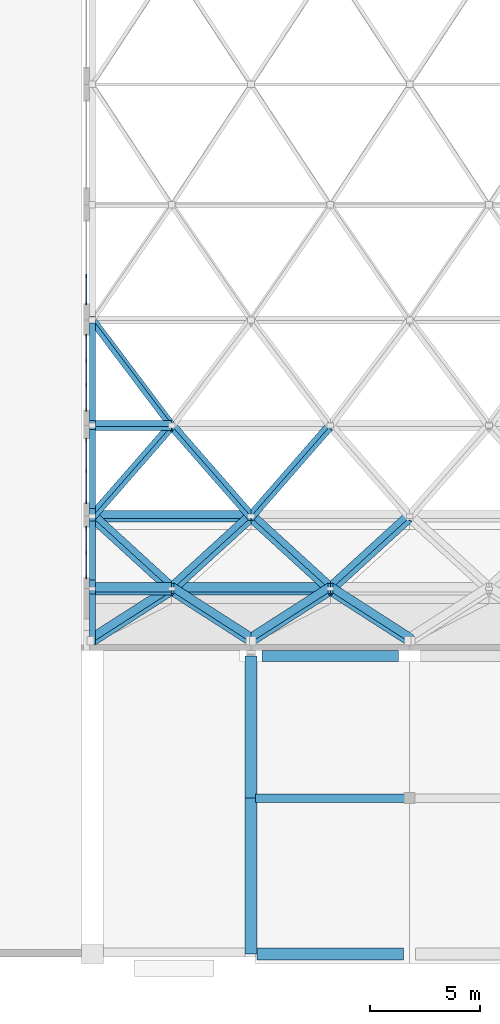
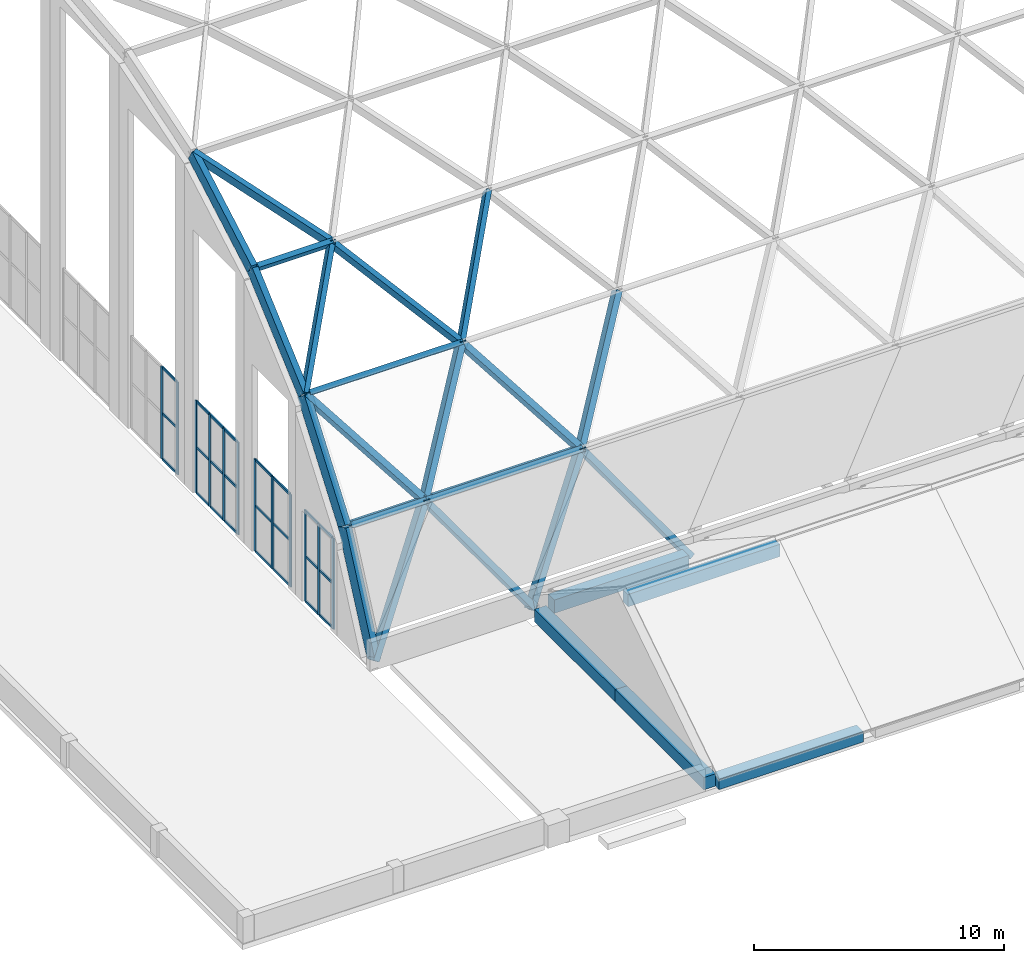
# One storey, part 3 of 52: 48 members, 13 beams, 4 elements without a shape of their own.
"""IFC4 building model written with IfcOpenShell, lengths in metres."""

from ifc_helpers import new_model, si_unit, direction, frame, origin, origin_2d, place, context, subcontext, project, spatial, rectangle, extrude, material, material_profile, profile_set, type_object, element, aggregate, save


model = new_model("IFC4")

# Units and contexts
model_context = context("Model", 3, precision=1e-05, world=origin(), true_north=direction((0.0, 1.0)))
body_context = subcontext(model_context, "Body", "Model", "MODEL_VIEW")
ifc_project = project(units=[si_unit("LENGTHUNIT", "METRE"), si_unit("AREAUNIT", "SQUARE_METRE"), si_unit("VOLUMEUNIT", "CUBIC_METRE"), si_unit("PLANEANGLEUNIT", "RADIAN"), si_unit("MASSUNIT", "GRAM", prefix="KILO")], contexts=[model_context])

# Site, building, storey
site_placement = place(None, origin())
site = spatial("IfcSite", under=ifc_project, at=site_placement, CompositionType="ELEMENT")
building_placement = place(site_placement, origin())
building = spatial("IfcBuilding", under=site, at=building_placement, Name="Vermilion Court Aquatics Centre", CompositionType="ELEMENT")
storey_placement = place(building_placement, frame((0.0, 0.0, 12.0)))
storey = spatial("IfcBuildingStorey", under=building, at=storey_placement, Name="L02", CompositionType="ELEMENT", Elevation=12.0)

# Curtain wall, members
ifc_material_1 = material(Name="Aluminium 6063-T5", Category="aluminium")
curtain_wall_type = type_object("IfcCurtainWallType", Name="Envelope curtain wall west gable lower runs", PredefinedType="NOTDEFINED", material=ifc_material_1)
curtain_wall_1_placement = place(storey_placement, origin())
curtain_wall_1 = element("IfcCurtainWall", 1, at=curtain_wall_1_placement, inside=storey, type_object=curtain_wall_type, Name="Gable glazing west 2.1", PredefinedType="NOTDEFINED")
ifc_material_2 = material(Name="Aluminium 6063-T5", Category="aluminium")
ifc_material_profile_1 = material_profile(ifc_material_2, rectangle(XDim=0.06005859375, YDim=0.159912109375, at=origin_2d()), Name="AL 60x160")
ifc_profile_set_1 = profile_set([ifc_material_profile_1], Name="Aluminium 6063-T5")
member_type_1 = type_object("IfcMemberType", Name="Envelope aluminium mullion 60x160", PredefinedType="MULLION", material=ifc_profile_set_1)
member_1_placement = place(storey_placement, frame((14.125, 17.25, 0.0), z_axis=(0.0, 0.0, 1.0), x_axis=(-1.0, 0.0, 0.0)))
member_1 = element("IfcMember", 2, at=member_1_placement, type_object=member_type_1, Name="ECW3 mullion 1", PredefinedType="MULLION", context=body_context, shape_type="SweptSolid", body=[
    extrude(rectangle(XDim=0.06005859375, YDim=0.159912109375, at=origin_2d()), origin(), (0.0, 0.0, 1.0), 4.43603515625),
])
member_2_placement = place(storey_placement, frame((14.125, 18.35498046875, 0.0), z_axis=(0.0, 0.0, 1.0), x_axis=(-1.0, 0.0, 0.0)))
member_2 = element("IfcMember", 3, at=member_2_placement, type_object=member_type_1, Name="ECW3 mullion 2", PredefinedType="MULLION", context=body_context, shape_type="SweptSolid", body=[
    extrude(rectangle(XDim=0.06005859375, YDim=0.159912109375, at=origin_2d()), origin(), (0.0, 0.0, 1.0), 4.43603515625),
])
member_3_placement = place(storey_placement, frame((14.125, 19.4599609375, 0.0), z_axis=(0.0, 0.0, 1.0), x_axis=(-1.0, 0.0, 0.0)))
member_3 = element("IfcMember", 4, at=member_3_placement, type_object=member_type_1, Name="ECW3 mullion 3", PredefinedType="MULLION", context=body_context, shape_type="SweptSolid", body=[
    extrude(rectangle(XDim=0.06005859375, YDim=0.159912109375, at=origin_2d()), origin(), (0.0, 0.0, 1.0), 4.43603515625),
])

curtain_wall_2_placement = place(storey_placement, origin())
curtain_wall_2 = element("IfcCurtainWall", 5, at=curtain_wall_2_placement, inside=storey, type_object=curtain_wall_type, Name="Gable glazing west 3.1", PredefinedType="NOTDEFINED")
member_4_placement = place(storey_placement, frame((14.125, 20.64990234375, 0.0), z_axis=(0.0, 0.0, 1.0), x_axis=(-1.0, 0.0, 0.0)))
member_4 = element("IfcMember", 6, at=member_4_placement, type_object=member_type_1, Name="ECW3 mullion 1", PredefinedType="MULLION", context=body_context, shape_type="SweptSolid", body=[
    extrude(rectangle(XDim=0.06005859375, YDim=0.159912109375, at=origin_2d()), origin(), (0.0, 0.0, 1.0), 4.5),
])
member_5_placement = place(storey_placement, frame((14.125, 22.06005859375, 0.0), z_axis=(0.0, 0.0, 1.0), x_axis=(-1.0, 0.0, 0.0)))
member_5 = element("IfcMember", 7, at=member_5_placement, type_object=member_type_1, Name="ECW3 mullion 2", PredefinedType="MULLION", context=body_context, shape_type="SweptSolid", body=[
    extrude(rectangle(XDim=0.06005859375, YDim=0.159912109375, at=origin_2d()), origin(), (0.0, 0.0, 1.0), 4.5),
])
member_6_placement = place(storey_placement, frame((14.125, 23.469970703125, 0.0), z_axis=(0.0, 0.0, 1.0), x_axis=(-1.0, 0.0, 0.0)))
member_6 = element("IfcMember", 8, at=member_6_placement, type_object=member_type_1, Name="ECW3 mullion 3", PredefinedType="MULLION", context=body_context, shape_type="SweptSolid", body=[
    extrude(rectangle(XDim=0.06005859375, YDim=0.159912109375, at=origin_2d()), origin(), (0.0, 0.0, 1.0), 4.5),
])

curtain_wall_3_placement = place(storey_placement, origin())
curtain_wall_3 = element("IfcCurtainWall", 9, at=curtain_wall_3_placement, inside=storey, type_object=curtain_wall_type, Name="Gable glazing west 4.1", PredefinedType="NOTDEFINED")
member_7_placement = place(storey_placement, frame((14.125, 24.85009765625, 0.0), z_axis=(0.0, 0.0, 1.0), x_axis=(-1.0, 0.0, 0.0)))
member_7 = element("IfcMember", 10, at=member_7_placement, type_object=member_type_1, Name="ECW3 mullion 1", PredefinedType="MULLION", context=body_context, shape_type="SweptSolid", body=[
    extrude(rectangle(XDim=0.06005859375, YDim=0.159912109375, at=origin_2d()), origin(), (0.0, 0.0, 1.0), 4.5),
])
member_8_placement = place(storey_placement, frame((14.125, 25.94677734375, 0.0), z_axis=(0.0, 0.0, 1.0), x_axis=(-1.0, 0.0, 0.0)))
member_8 = element("IfcMember", 11, at=member_8_placement, type_object=member_type_1, Name="ECW3 mullion 2", PredefinedType="MULLION", context=body_context, shape_type="SweptSolid", body=[
    extrude(rectangle(XDim=0.06005859375, YDim=0.159912109375, at=origin_2d()), origin(), (0.0, 0.0, 1.0), 4.5),
])
member_9_placement = place(storey_placement, frame((14.125, 27.0732421875, 0.0), z_axis=(0.0, 0.0, 1.0), x_axis=(-1.0, 0.0, 0.0)))
member_9 = element("IfcMember", 12, at=member_9_placement, type_object=member_type_1, Name="ECW3 mullion 3", PredefinedType="MULLION", context=body_context, shape_type="SweptSolid", body=[
    extrude(rectangle(XDim=0.06005859375, YDim=0.159912109375, at=origin_2d()), origin(), (0.0, 0.0, 1.0), 4.5),
])
member_10_placement = place(storey_placement, frame((14.125, 28.169921875, 0.0), z_axis=(0.0, 0.0, 1.0), x_axis=(-1.0, 0.0, 0.0)))
member_10 = element("IfcMember", 13, at=member_10_placement, type_object=member_type_1, Name="ECW3 mullion 4", PredefinedType="MULLION", context=body_context, shape_type="SweptSolid", body=[
    extrude(rectangle(XDim=0.06005859375, YDim=0.159912109375, at=origin_2d()), origin(), (0.0, 0.0, 1.0), 4.5),
])

curtain_wall_4_placement = place(storey_placement, origin())
curtain_wall_4 = element("IfcCurtainWall", 14, at=curtain_wall_4_placement, inside=storey, type_object=curtain_wall_type, Name="Gable glazing west 5.1", PredefinedType="NOTDEFINED")
member_11_placement = place(storey_placement, frame((14.125, 29.679931640625, 0.0), z_axis=(0.0, 0.0, 1.0), x_axis=(-1.0, 0.0, 0.0)))
member_11 = element("IfcMember", 15, at=member_11_placement, type_object=member_type_1, Name="ECW3 mullion 1", PredefinedType="MULLION", context=body_context, shape_type="SweptSolid", body=[
    extrude(rectangle(XDim=0.06005859375, YDim=0.159912109375, at=origin_2d()), origin(), (0.0, 0.0, 1.0), 4.5),
])
member_12_placement = place(storey_placement, frame((14.125, 30.893310546875, 0.0), z_axis=(0.0, 0.0, 1.0), x_axis=(-1.0, 0.0, 0.0)))
member_12 = element("IfcMember", 16, at=member_12_placement, type_object=member_type_1, Name="ECW3 mullion 2", PredefinedType="MULLION", context=body_context, shape_type="SweptSolid", body=[
    extrude(rectangle(XDim=0.06005859375, YDim=0.159912109375, at=origin_2d()), origin(), (0.0, 0.0, 1.0), 4.5),
])

# Member
ifc_material_3 = material(Name="Aluminium 6063-T5", Category="aluminium")
ifc_material_profile_2 = material_profile(ifc_material_3, rectangle(XDim=0.06005859375, YDim=0.1201171875, at=origin_2d()), Name="AL 60x120")
ifc_profile_set_2 = profile_set([ifc_material_profile_2], Name="Aluminium 6063-T5")
member_type_2 = type_object("IfcMemberType", Name="Envelope aluminium transom 60x120", PredefinedType="USERDEFINED", material=ifc_profile_set_2)
member_13_placement = place(storey_placement, frame((14.125, 17.280029296875, 0.030029296875), z_axis=(0.0, 1.0, 0.0), x_axis=(-1.0, 0.0, 0.0)))
member_13 = element("IfcMember", 17, at=member_13_placement, type_object=member_type_2, Name="ECW3 transom 1.1", ObjectType="TRANSOM", PredefinedType="USERDEFINED", context=body_context, shape_type="SweptSolid", body=[
    extrude(rectangle(XDim=0.06005859375, YDim=0.1201171875, at=origin_2d()), origin(), (0.0, 0.0, 1.0), 1.044921875),
])

member_14_placement = place(storey_placement, frame((14.125, 17.280029296875, 2.218017578125), z_axis=(0.0, 1.0, 0.0), x_axis=(-1.0, 0.0, 0.0)))
member_14 = element("IfcMember", 18, at=member_14_placement, type_object=member_type_2, Name="ECW3 transom 1.2", ObjectType="TRANSOM", PredefinedType="USERDEFINED", context=body_context, shape_type="SweptSolid", body=[
    extrude(rectangle(XDim=0.06005859375, YDim=0.1201171875, at=origin_2d()), origin(), (0.0, 0.0, 1.0), 1.044921875),
])

member_15_placement = place(storey_placement, frame((14.125, 17.280029296875, 4.406005859375), z_axis=(0.0, 1.0, 0.0), x_axis=(-1.0, 0.0, 0.0)))
member_15 = element("IfcMember", 19, at=member_15_placement, type_object=member_type_2, Name="ECW3 transom 1.3", ObjectType="TRANSOM", PredefinedType="USERDEFINED", context=body_context, shape_type="SweptSolid", body=[
    extrude(rectangle(XDim=0.06005859375, YDim=0.1201171875, at=origin_2d()), origin(), (0.0, 0.0, 1.0), 1.044921875),
])

member_16_placement = place(storey_placement, frame((14.125, 18.385009765625, 0.030029296875), z_axis=(0.0, 1.0, 0.0), x_axis=(-1.0, 0.0, 0.0)))
member_16 = element("IfcMember", 20, at=member_16_placement, type_object=member_type_2, Name="ECW3 transom 2.1", ObjectType="TRANSOM", PredefinedType="USERDEFINED", context=body_context, shape_type="SweptSolid", body=[
    extrude(rectangle(XDim=0.06005859375, YDim=0.1201171875, at=origin_2d()), origin(), (0.0, 0.0, 1.0), 1.044921875),
])

member_17_placement = place(storey_placement, frame((14.125, 18.385009765625, 2.218017578125), z_axis=(0.0, 1.0, 0.0), x_axis=(-1.0, 0.0, 0.0)))
member_17 = element("IfcMember", 21, at=member_17_placement, type_object=member_type_2, Name="ECW3 transom 2.2", ObjectType="TRANSOM", PredefinedType="USERDEFINED", context=body_context, shape_type="SweptSolid", body=[
    extrude(rectangle(XDim=0.06005859375, YDim=0.1201171875, at=origin_2d()), origin(), (0.0, 0.0, 1.0), 1.044921875),
])

member_18_placement = place(storey_placement, frame((14.125, 18.385009765625, 4.406005859375), z_axis=(0.0, 1.0, 0.0), x_axis=(-1.0, 0.0, 0.0)))
member_18 = element("IfcMember", 22, at=member_18_placement, type_object=member_type_2, Name="ECW3 transom 2.3", ObjectType="TRANSOM", PredefinedType="USERDEFINED", context=body_context, shape_type="SweptSolid", body=[
    extrude(rectangle(XDim=0.06005859375, YDim=0.1201171875, at=origin_2d()), origin(), (0.0, 0.0, 1.0), 1.044921875),
])

aggregate(curtain_wall_1, [member_1, member_2, member_3, member_13, member_14, member_15, member_16, member_17, member_18])

member_19_placement = place(storey_placement, frame((14.125, 20.679931640625, 0.030029296875), z_axis=(0.0, 1.0, 0.0), x_axis=(-1.0, 0.0, 0.0)))
member_19 = element("IfcMember", 23, at=member_19_placement, type_object=member_type_2, Name="ECW3 transom 1.1", ObjectType="TRANSOM", PredefinedType="USERDEFINED", context=body_context, shape_type="SweptSolid", body=[
    extrude(rectangle(XDim=0.06005859375, YDim=0.1201171875, at=origin_2d()), origin(), (0.0, 0.0, 1.0), 1.35009765625),
])

member_20_placement = place(storey_placement, frame((14.125, 20.679931640625, 2.25), z_axis=(0.0, 1.0, 0.0), x_axis=(-1.0, 0.0, 0.0)))
member_20 = element("IfcMember", 24, at=member_20_placement, type_object=member_type_2, Name="ECW3 transom 1.2", ObjectType="TRANSOM", PredefinedType="USERDEFINED", context=body_context, shape_type="SweptSolid", body=[
    extrude(rectangle(XDim=0.06005859375, YDim=0.1201171875, at=origin_2d()), origin(), (0.0, 0.0, 1.0), 1.35009765625),
])

member_21_placement = place(storey_placement, frame((14.125, 20.679931640625, 4.469970703125), z_axis=(0.0, 1.0, 0.0), x_axis=(-1.0, 0.0, 0.0)))
member_21 = element("IfcMember", 25, at=member_21_placement, type_object=member_type_2, Name="ECW3 transom 1.3", ObjectType="TRANSOM", PredefinedType="USERDEFINED", context=body_context, shape_type="SweptSolid", body=[
    extrude(rectangle(XDim=0.06005859375, YDim=0.1201171875, at=origin_2d()), origin(), (0.0, 0.0, 1.0), 1.35009765625),
])

member_22_placement = place(storey_placement, frame((14.125, 22.090087890625, 0.030029296875), z_axis=(0.0, 1.0, 0.0), x_axis=(-1.0, 0.0, 0.0)))
member_22 = element("IfcMember", 26, at=member_22_placement, type_object=member_type_2, Name="ECW3 transom 2.1", ObjectType="TRANSOM", PredefinedType="USERDEFINED", context=body_context, shape_type="SweptSolid", body=[
    extrude(rectangle(XDim=0.06005859375, YDim=0.1201171875, at=origin_2d()), origin(), (0.0, 0.0, 1.0), 1.349853515625),
])

member_23_placement = place(storey_placement, frame((14.125, 22.090087890625, 2.25), z_axis=(0.0, 1.0, 0.0), x_axis=(-1.0, 0.0, 0.0)))
member_23 = element("IfcMember", 27, at=member_23_placement, type_object=member_type_2, Name="ECW3 transom 2.2", ObjectType="TRANSOM", PredefinedType="USERDEFINED", context=body_context, shape_type="SweptSolid", body=[
    extrude(rectangle(XDim=0.06005859375, YDim=0.1201171875, at=origin_2d()), origin(), (0.0, 0.0, 1.0), 1.349853515625),
])

member_24_placement = place(storey_placement, frame((14.125, 22.090087890625, 4.469970703125), z_axis=(0.0, 1.0, 0.0), x_axis=(-1.0, 0.0, 0.0)))
member_24 = element("IfcMember", 28, at=member_24_placement, type_object=member_type_2, Name="ECW3 transom 2.3", ObjectType="TRANSOM", PredefinedType="USERDEFINED", context=body_context, shape_type="SweptSolid", body=[
    extrude(rectangle(XDim=0.06005859375, YDim=0.1201171875, at=origin_2d()), origin(), (0.0, 0.0, 1.0), 1.349853515625),
])

aggregate(curtain_wall_2, [member_4, member_5, member_6, member_19, member_20, member_21, member_22, member_23, member_24])

member_25_placement = place(storey_placement, frame((14.125, 24.8798828125, 0.030029296875), z_axis=(0.0, 1.0, 0.0), x_axis=(-1.0, 0.0, 0.0)))
member_25 = element("IfcMember", 29, at=member_25_placement, type_object=member_type_2, Name="ECW3 transom 1.1", ObjectType="TRANSOM", PredefinedType="USERDEFINED", context=body_context, shape_type="SweptSolid", body=[
    extrude(rectangle(XDim=0.06005859375, YDim=0.1201171875, at=origin_2d()), origin(), (0.0, 0.0, 1.0), 1.036865234375),
])

member_26_placement = place(storey_placement, frame((14.125, 24.8798828125, 2.25), z_axis=(0.0, 1.0, 0.0), x_axis=(-1.0, 0.0, 0.0)))
member_26 = element("IfcMember", 30, at=member_26_placement, type_object=member_type_2, Name="ECW3 transom 1.2", ObjectType="TRANSOM", PredefinedType="USERDEFINED", context=body_context, shape_type="SweptSolid", body=[
    extrude(rectangle(XDim=0.06005859375, YDim=0.1201171875, at=origin_2d()), origin(), (0.0, 0.0, 1.0), 1.036865234375),
])

member_27_placement = place(storey_placement, frame((14.125, 24.8798828125, 4.469970703125), z_axis=(0.0, 1.0, 0.0), x_axis=(-1.0, 0.0, 0.0)))
member_27 = element("IfcMember", 31, at=member_27_placement, type_object=member_type_2, Name="ECW3 transom 1.3", ObjectType="TRANSOM", PredefinedType="USERDEFINED", context=body_context, shape_type="SweptSolid", body=[
    extrude(rectangle(XDim=0.06005859375, YDim=0.1201171875, at=origin_2d()), origin(), (0.0, 0.0, 1.0), 1.036865234375),
])

member_28_placement = place(storey_placement, frame((14.125, 25.9765625, 0.030029296875), z_axis=(0.0, 1.0, 0.0), x_axis=(-1.0, 0.0, 0.0)))
member_28 = element("IfcMember", 32, at=member_28_placement, type_object=member_type_2, Name="ECW3 transom 2.1", ObjectType="TRANSOM", PredefinedType="USERDEFINED", context=body_context, shape_type="SweptSolid", body=[
    extrude(rectangle(XDim=0.06005859375, YDim=0.1201171875, at=origin_2d()), origin(), (0.0, 0.0, 1.0), 1.066650390625),
])

member_29_placement = place(storey_placement, frame((14.125, 25.9765625, 2.25), z_axis=(0.0, 1.0, 0.0), x_axis=(-1.0, 0.0, 0.0)))
member_29 = element("IfcMember", 33, at=member_29_placement, type_object=member_type_2, Name="ECW3 transom 2.2", ObjectType="TRANSOM", PredefinedType="USERDEFINED", context=body_context, shape_type="SweptSolid", body=[
    extrude(rectangle(XDim=0.06005859375, YDim=0.1201171875, at=origin_2d()), origin(), (0.0, 0.0, 1.0), 1.066650390625),
])

member_30_placement = place(storey_placement, frame((14.125, 25.9765625, 4.469970703125), z_axis=(0.0, 1.0, 0.0), x_axis=(-1.0, 0.0, 0.0)))
member_30 = element("IfcMember", 34, at=member_30_placement, type_object=member_type_2, Name="ECW3 transom 2.3", ObjectType="TRANSOM", PredefinedType="USERDEFINED", context=body_context, shape_type="SweptSolid", body=[
    extrude(rectangle(XDim=0.06005859375, YDim=0.1201171875, at=origin_2d()), origin(), (0.0, 0.0, 1.0), 1.066650390625),
])

member_31_placement = place(storey_placement, frame((14.125, 27.103271484375, 0.030029296875), z_axis=(0.0, 1.0, 0.0), x_axis=(-1.0, 0.0, 0.0)))
member_31 = element("IfcMember", 35, at=member_31_placement, type_object=member_type_2, Name="ECW3 transom 3.1", ObjectType="TRANSOM", PredefinedType="USERDEFINED", context=body_context, shape_type="SweptSolid", body=[
    extrude(rectangle(XDim=0.06005859375, YDim=0.1201171875, at=origin_2d()), origin(), (0.0, 0.0, 1.0), 1.03662109375),
])

member_32_placement = place(storey_placement, frame((14.125, 27.103271484375, 2.25), z_axis=(0.0, 1.0, 0.0), x_axis=(-1.0, 0.0, 0.0)))
member_32 = element("IfcMember", 36, at=member_32_placement, type_object=member_type_2, Name="ECW3 transom 3.2", ObjectType="TRANSOM", PredefinedType="USERDEFINED", context=body_context, shape_type="SweptSolid", body=[
    extrude(rectangle(XDim=0.06005859375, YDim=0.1201171875, at=origin_2d()), origin(), (0.0, 0.0, 1.0), 1.03662109375),
])

member_33_placement = place(storey_placement, frame((14.125, 27.103271484375, 4.469970703125), z_axis=(0.0, 1.0, 0.0), x_axis=(-1.0, 0.0, 0.0)))
member_33 = element("IfcMember", 37, at=member_33_placement, type_object=member_type_2, Name="ECW3 transom 3.3", ObjectType="TRANSOM", PredefinedType="USERDEFINED", context=body_context, shape_type="SweptSolid", body=[
    extrude(rectangle(XDim=0.06005859375, YDim=0.1201171875, at=origin_2d()), origin(), (0.0, 0.0, 1.0), 1.03662109375),
])

aggregate(curtain_wall_3, [member_7, member_8, member_9, member_10, member_25, member_26, member_27, member_28, member_29, member_30, member_31, member_32, member_33])

member_34_placement = place(storey_placement, frame((14.125, 29.7099609375, 0.030029296875), z_axis=(0.0, 1.0, 0.0), x_axis=(-1.0, 0.0, 0.0)))
member_34 = element("IfcMember", 38, at=member_34_placement, type_object=member_type_2, Name="ECW3 transom 1.1", ObjectType="TRANSOM", PredefinedType="USERDEFINED", context=body_context, shape_type="SweptSolid", body=[
    extrude(rectangle(XDim=0.06005859375, YDim=0.1201171875, at=origin_2d()), origin(), (0.0, 0.0, 1.0), 1.1533203125),
])

member_35_placement = place(storey_placement, frame((14.125, 29.7099609375, 2.25), z_axis=(0.0, 1.0, 0.0), x_axis=(-1.0, 0.0, 0.0)))
member_35 = element("IfcMember", 39, at=member_35_placement, type_object=member_type_2, Name="ECW3 transom 1.2", ObjectType="TRANSOM", PredefinedType="USERDEFINED", context=body_context, shape_type="SweptSolid", body=[
    extrude(rectangle(XDim=0.06005859375, YDim=0.1201171875, at=origin_2d()), origin(), (0.0, 0.0, 1.0), 1.1533203125),
])

member_36_placement = place(storey_placement, frame((14.125, 29.7099609375, 4.469970703125), z_axis=(0.0, 1.0, 0.0), x_axis=(-1.0, 0.0, 0.0)))
member_36 = element("IfcMember", 40, at=member_36_placement, type_object=member_type_2, Name="ECW3 transom 1.3", ObjectType="TRANSOM", PredefinedType="USERDEFINED", context=body_context, shape_type="SweptSolid", body=[
    extrude(rectangle(XDim=0.06005859375, YDim=0.1201171875, at=origin_2d()), origin(), (0.0, 0.0, 1.0), 1.1533203125),
])

aggregate(curtain_wall_4, [member_11, member_12, member_34, member_35, member_36])

# Beams
ifc_material_4 = material(Name="Glulam 24F-V4 Douglas fir", Category="wood")
ifc_material_profile_3 = material_profile(ifc_material_4, rectangle(XDim=0.27294921875, YDim=0.60009765625, at=origin_2d()), Name="GL24F 273x600")
ifc_profile_set_3 = profile_set([ifc_material_profile_3], Name="Glulam 24F-V4 Douglas fir")
beam_type_1 = type_object("IfcBeamType", Name="Roof gable arch rib GL24F 273x600", PredefinedType="BEAM", material=ifc_profile_set_3)
beam_1_placement = place(storey_placement, frame((14.39990234375, 20.048095703125, 9.627685546875), z_axis=(0.0, 0.749506138313, 0.66199739322), x_axis=(-1.0, 0.0, 0.0)))
element("IfcBeam", 41, at=beam_1_placement, inside=storey, type_object=beam_type_1, Name="Gable arch rib GR-R02-W", PredefinedType="BEAM", context=body_context, shape_type="SweptSolid", body=[
    extrude(rectangle(XDim=0.27294921875, YDim=0.60009765625, at=origin_2d()), origin(), (0.0, 0.0, 1.0), 5.45703125),
])
beam_2_placement = place(storey_placement, frame((14.39990234375, 24.162109375, 13.25732421875), z_axis=(0.0, 0.869440836463, 0.494037075422), x_axis=(-1.0, 0.0, 0.0)))
element("IfcBeam", 42, at=beam_2_placement, inside=storey, type_object=beam_type_1, Name="Gable arch rib GR-R03-W", PredefinedType="BEAM", context=body_context, shape_type="SweptSolid", body=[
    extrude(rectangle(XDim=0.27294921875, YDim=0.60009765625, at=origin_2d()), origin(), (0.0, 0.0, 1.0), 5.457763671875),
])
ifc_material_5 = material(Name="Glulam 24F-V4 Douglas fir", Category="wood")
ifc_material_profile_4 = material_profile(ifc_material_5, rectangle(XDim=0.27294921875, YDim=0.699951171875, at=origin_2d()), Name="GL24F 273x700")
ifc_profile_set_4 = profile_set([ifc_material_profile_4], Name="Glulam 24F-V4 Douglas fir")
beam_type_2 = type_object("IfcBeamType", Name="Roof gable arch rib GL24F 273x700", PredefinedType="BEAM", material=ifc_profile_set_4)
beam_3_placement = place(storey_placement, frame((14.39990234375, 14.461669921875, 0.14501953125), z_axis=(0.0, 0.420151136212, 0.907454143602), x_axis=(-1.0, 0.0, 0.0)))
element("IfcBeam", 43, at=beam_3_placement, inside=storey, type_object=beam_type_2, Name="Gable arch rib GR-R00-W", PredefinedType="BEAM", context=body_context, shape_type="SweptSolid", body=[
    extrude(rectangle(XDim=0.27294921875, YDim=0.699951171875, at=origin_2d()), origin(), (0.0, 0.0, 1.0), 5.537109375),
])
beam_4_placement = place(storey_placement, frame((14.39990234375, 16.80810546875, 5.203369140625), z_axis=(0.0, 0.597715934236, 0.801707965509), x_axis=(-1.0, 0.0, 0.0)))
element("IfcBeam", 44, at=beam_4_placement, inside=storey, type_object=beam_type_2, Name="Gable arch rib GR-R01-W", PredefinedType="BEAM", context=body_context, shape_type="SweptSolid", body=[
    extrude(rectangle(XDim=0.27294921875, YDim=0.699951171875, at=origin_2d()), origin(), (0.0, 0.0, 1.0), 5.4443359375),
])
ifc_material_6 = material(Name="Glulam 24F-V4 Douglas fir", Category="wood")
ifc_material_profile_5 = material_profile(ifc_material_6, rectangle(XDim=0.221923828125, YDim=0.5, at=origin_2d()), Name="GL24F 222x500")
ifc_profile_set_5 = profile_set([ifc_material_profile_5], Name="Glulam 24F-V4 Douglas fir")
beam_type_3 = type_object("IfcBeamType", Name="Roof glulam beam GL24F 222x500", PredefinedType="BEAM", material=ifc_profile_set_5)
beam_5_placement = place(storey_placement, frame((14.53662109375, 20.0, 9.652099609375), z_axis=(1.0, 0.0, 0.0), x_axis=(0.0, 0.677259808472, 0.735743944473)))
element("IfcBeam", 45, at=beam_5_placement, inside=storey, type_object=beam_type_3, Name="Gridshell member GM-S02-00", PredefinedType="BEAM", context=body_context, shape_type="SweptSolid", body=[
    extrude(rectangle(XDim=0.221923828125, YDim=0.5, at=origin_2d()), origin(), (0.0, 0.0, 1.0), 7.0634765625),
])
beam_6_placement = place(storey_placement, frame((14.53662109375, 24.1201171875, 13.291015625), z_axis=(1.0, 0.0, 0.0), x_axis=(0.0, 0.813847589394, 0.581078395087)))
element("IfcBeam", 46, at=beam_6_placement, inside=storey, type_object=beam_type_3, Name="Gridshell member GM-S03-00", PredefinedType="BEAM", context=body_context, shape_type="SweptSolid", body=[
    extrude(rectangle(XDim=0.221923828125, YDim=0.5, at=origin_2d()), origin(), (0.0, 0.0, 1.0), 3.46337890625),
])
ifc_material_7 = material(Name="Glulam 24F-V4 Douglas fir", Category="wood")
ifc_material_profile_6 = material_profile(ifc_material_7, rectangle(XDim=0.27294921875, YDim=0.5, at=origin_2d()), Name="GL24F 273x500")
ifc_profile_set_6 = profile_set([ifc_material_profile_6], Name="Glulam 24F-V4 Douglas fir")
beam_type_4 = type_object("IfcBeamType", Name="Roof glulam beam GL24F 273x500", PredefinedType="BEAM", material=ifc_profile_set_6)
beam_7_placement = place(storey_placement, frame((14.53662109375, 16.7099609375, 5.239013671875), z_axis=(1.0, 0.0, 0.0), x_axis=(0.0, 0.511594723072, 0.859226884661)))
element("IfcBeam", 47, at=beam_7_placement, inside=storey, type_object=beam_type_4, Name="Gridshell member GM-S01-00", PredefinedType="BEAM", context=body_context, shape_type="SweptSolid", body=[
    extrude(rectangle(XDim=0.27294921875, YDim=0.5, at=origin_2d()), origin(), (0.0, 0.0, 1.0), 3.46337890625),
])
beam_8_placement = place(storey_placement, frame((18.0, 16.7099609375, 5.239013671875), z_axis=(1.0, 0.0, 0.0), x_axis=(0.0, 0.511594723072, 0.859226884661)))
element("IfcBeam", 48, at=beam_8_placement, inside=storey, type_object=beam_type_4, Name="Gridshell member GM-S01-01", PredefinedType="BEAM", context=body_context, shape_type="SweptSolid", body=[
    extrude(rectangle(XDim=0.27294921875, YDim=0.5, at=origin_2d()), origin(), (0.0, 0.0, 1.0), 7.199951171875),
])

# Members
ifc_material_8 = material(Name="Glulam 24F-V4 Douglas fir", Category="wood")
ifc_material_profile_7 = material_profile(ifc_material_8, rectangle(XDim=0.221923828125, YDim=0.5, at=origin_2d()), Name="GL24F 222x500")
ifc_profile_set_7 = profile_set([ifc_material_profile_7], Name="Glulam 24F-V4 Douglas fir")
member_type_3 = type_object("IfcMemberType", Name="Roof glulam diagonal GL24F 222x500", PredefinedType="BRACE", material=ifc_profile_set_7)
for number, where, z_axis, x_axis, name in (
    (49, (14.39990234375, 20.0, 9.652099609375), (0.547878343921, 0.627017152585, 0.553785888793), (-0.836558019341, 0.410664270742, 0.362664496488), "Gridshell member GM-D02-00"),
    (50, (21.60009765625, 20.0, 9.652099609375), (-0.547878343921, 0.627017152585, 0.553785888793), (-0.836558019341, -0.410664270742, -0.362664496488), "Gridshell member GM-D02-01"),
):
    element("IfcMember", number, at=place(storey_placement, frame(where, z_axis=z_axis, x_axis=x_axis)), inside=storey, type_object=member_type_3, Name=name, PredefinedType="BRACE", context=body_context, shape_type="SweptSolid", body=[
        extrude(rectangle(XDim=0.221923828125, YDim=0.5, at=origin_2d()), origin(), (0.0, 0.0, 1.0), 6.571044921875),
    ])
member_37_placement = place(storey_placement, frame((21.60009765625, 20.0, 9.652099609375), z_axis=(0.54785234141, 0.62702991615, 0.553797161662), x_axis=(-0.836575048608, 0.410632462921, 0.362661230961)))
element("IfcMember", 51, at=member_37_placement, inside=storey, type_object=member_type_3, Name="Gridshell member GM-D02-02", PredefinedType="BRACE", context=body_context, shape_type="SweptSolid", body=[
    extrude(rectangle(XDim=0.221923828125, YDim=0.5, at=origin_2d()), origin(), (0.0, 0.0, 1.0), 6.57080078125),
])
member_38_placement = place(storey_placement, frame((18.0, 24.1201171875, 13.291015625), z_axis=(-0.54783852514, 0.727355394357, 0.413312328237), x_axis=(-0.836584095586, -0.476331897609, -0.270619611877)))
element("IfcMember", 52, at=member_38_placement, inside=storey, type_object=member_type_3, Name="Gridshell member GM-D03-00", PredefinedType="BRACE", context=body_context, shape_type="SweptSolid", body=[
    extrude(rectangle(XDim=0.221923828125, YDim=0.5, at=origin_2d()), origin(), (0.0, 0.0, 1.0), 6.571533203125),
])
ifc_material_9 = material(Name="Glulam 24F-V4 Douglas fir", Category="wood")
ifc_material_profile_8 = material_profile(ifc_material_9, rectangle(XDim=0.27294921875, YDim=0.5, at=origin_2d()), Name="GL24F 273x500")
ifc_profile_set_8 = profile_set([ifc_material_profile_8], Name="Glulam 24F-V4 Douglas fir")
member_type_4 = type_object("IfcMemberType", Name="Roof glulam diagonal GL24F 273x500", PredefinedType="BRACE", material=ifc_profile_set_8)
for number, where, z_axis, x_axis, name in (
    (53, (14.3154296875, 14.345703125, 0.1328125), (0.547810111411, 0.35151027822, 0.759173633724), (-0.836602702247, 0.230192523341, 0.497098904436), "Gridshell member GM-D00-00"),
    (54, (21.6845703125, 14.345703125, 0.1328125), (-0.547810111411, 0.35151027822, 0.759173633724), (-0.836602702247, -0.230192523341, -0.497098904436), "Gridshell member GM-D00-01"),
    (55, (21.515380859375, 14.345703125, 0.1328125), (0.547810111411, 0.35151027822, 0.759173633724), (-0.836602702247, 0.230192523341, 0.497098904436), "Gridshell member GM-D00-02"),
    (56, (28.884521484375, 14.345703125, 0.1328125), (-0.547810111411, 0.35151027822, 0.759173633724), (-0.836602702247, -0.230192523341, -0.497098904436), "Gridshell member GM-D00-03"),
):
    element("IfcMember", number, at=place(storey_placement, frame(where, z_axis=z_axis, x_axis=x_axis)), inside=storey, type_object=member_type_4, Name=name, PredefinedType="BRACE", context=body_context, shape_type="SweptSolid", body=[
        extrude(rectangle(XDim=0.27294921875, YDim=0.5, at=origin_2d()), origin(), (0.0, 0.0, 1.0), 6.72607421875),
    ])
for number, where, z_axis, x_axis, name in (
    (57, (18.0, 16.7099609375, 5.239013671875), (-0.547354985532, 0.500214009563, 0.670960851652), (-0.836900542699, -0.327116726721, -0.438853197242), "Gridshell member GM-D01-00"),
    (58, (18.0, 16.7099609375, 5.239013671875), (0.547354985532, 0.500214009563, 0.670960851652), (-0.836900542699, 0.327116726721, 0.438853197242), "Gridshell member GM-D01-01"),
    (59, (25.199951171875, 16.7099609375, 5.239013671875), (-0.547328986583, 0.500224172478, 0.670974483654), (-0.836917545043, -0.32708302, -0.438845896445), "Gridshell member GM-D01-02"),
    (60, (25.199951171875, 16.7099609375, 5.239013671875), (0.547354985532, 0.500214009563, 0.670960851652), (-0.836900542699, 0.327116726721, 0.438853197242), "Gridshell member GM-D01-03"),
):
    element("IfcMember", number, at=place(storey_placement, frame(where, z_axis=z_axis, x_axis=x_axis)), inside=storey, type_object=member_type_4, Name=name, PredefinedType="BRACE", context=body_context, shape_type="SweptSolid", body=[
        extrude(rectangle(XDim=0.27294921875, YDim=0.5, at=origin_2d()), origin(), (0.0, 0.0, 1.0), 6.5771484375),
    ])

# Beams
ifc_material_10 = material(Name="Concrete 5000 psi", Category="concrete")
ifc_material_profile_9 = material_profile(ifc_material_10, rectangle(XDim=0.550048828125, YDim=0.5, at=origin_2d()), Name="RC 550x500")
ifc_profile_set_9 = profile_set([ifc_material_profile_9], Name="Concrete 5000 psi")
beam_type_5 = type_object("IfcBeamType", Name="South roof eave beam RC 550x500", PredefinedType="BEAM", material=ifc_profile_set_9)
beam_9_placement = place(storey_placement, frame((21.875, 0.125, 0.236083984375), z_axis=(1.0, 0.0, 0.0), x_axis=(0.0, 1.0, 0.0)))
element("IfcBeam", 61, at=beam_9_placement, inside=storey, type_object=beam_type_5, Name="South roof eave beam", PredefinedType="BEAM", context=body_context, shape_type="SweptSolid", body=[
    extrude(rectangle(XDim=0.550048828125, YDim=0.5, at=origin_2d()), origin(), (0.0, 0.0, 1.0), 6.64990234375),
])
ifc_material_11 = material(Name="Concrete 5000 psi", Category="concrete")
ifc_material_profile_10 = material_profile(ifc_material_11, rectangle(XDim=0.550048828125, YDim=0.60009765625, at=origin_2d()), Name="RC 550x600")
ifc_profile_set_10 = profile_set([ifc_material_profile_10], Name="Concrete 5000 psi")
beam_type_6 = type_object("IfcBeamType", Name="South roof gable beam RC 550x600", PredefinedType="BEAM", material=ifc_profile_set_10)
beam_10_placement = place(storey_placement, frame((21.60009765625, 0.125, 0.300048828125), z_axis=(0.0, 1.0, 0.0), x_axis=(-1.0, 0.0, 0.0)))
element("IfcBeam", 62, at=beam_10_placement, inside=storey, type_object=beam_type_6, Name="South roof gable beam", PredefinedType="BEAM", context=body_context, shape_type="SweptSolid", body=[
    extrude(rectangle(XDim=0.550048828125, YDim=0.60009765625, at=origin_2d()), origin(), (0.0, 0.0, 1.0), 7.074951171875),
])
beam_11_placement = place(storey_placement, frame((21.60009765625, 7.199951171875, 0.300048828125), z_axis=(0.0, 1.0, 0.0), x_axis=(-1.0, 0.0, 0.0)))
element("IfcBeam", 63, at=beam_11_placement, inside=storey, type_object=beam_type_6, Name="South roof gable beam", PredefinedType="BEAM", context=body_context, shape_type="SweptSolid", body=[
    extrude(rectangle(XDim=0.550048828125, YDim=0.60009765625, at=origin_2d()), origin(), (0.0, 0.0, 1.0), 6.449951171875),
])
ifc_material_12 = material(Name="Concrete 5000 psi", Category="concrete")
ifc_material_profile_11 = material_profile(ifc_material_12, rectangle(XDim=0.39990234375, YDim=0.60009765625, at=origin_2d()), Name="RC 400x600")
ifc_profile_set_11 = profile_set([ifc_material_profile_11], Name="Concrete 5000 psi")
beam_type_7 = type_object("IfcBeamType", Name="South roof ridge beam RC 400x600", PredefinedType="BEAM", material=ifc_profile_set_11)
beam_12_placement = place(storey_placement, frame((21.800048828125, 7.199951171875, 4.885986328125), z_axis=(1.0, 0.0, 0.0), x_axis=(0.0, 1.0, 0.0)))
element("IfcBeam", 64, at=beam_12_placement, inside=storey, type_object=beam_type_7, Name="South roof ridge beam", PredefinedType="BEAM", context=body_context, shape_type="SweptSolid", body=[
    extrude(rectangle(XDim=0.39990234375, YDim=0.60009765625, at=origin_2d()), origin(), (0.0, 0.0, 1.0), 7.0),
])
ifc_material_13 = material(Name="Concrete 5000 psi", Category="concrete")
ifc_material_profile_12 = material_profile(ifc_material_13, rectangle(XDim=0.5, YDim=0.64990234375, at=origin_2d()), Name="RC 500x650")
ifc_profile_set_12 = profile_set([ifc_material_profile_12], Name="Concrete 5000 psi")
beam_type_8 = type_object("IfcBeamType", Name="South roof valley beam RC 500x650", PredefinedType="BEAM", material=ifc_profile_set_12)
beam_13_placement = place(storey_placement, frame((22.10009765625, 13.64990234375, 0.607421875), z_axis=(1.0, 0.0, 0.0), x_axis=(0.0, 1.0, 0.0)))
element("IfcBeam", 65, at=beam_13_placement, inside=storey, type_object=beam_type_8, Name="South roof valley beam", PredefinedType="BEAM", context=body_context, shape_type="SweptSolid", body=[
    extrude(rectangle(XDim=0.5, YDim=0.64990234375, at=origin_2d()), origin(), (0.0, 0.0, 1.0), 6.199951171875),
])

save(model, "model.ifc")
